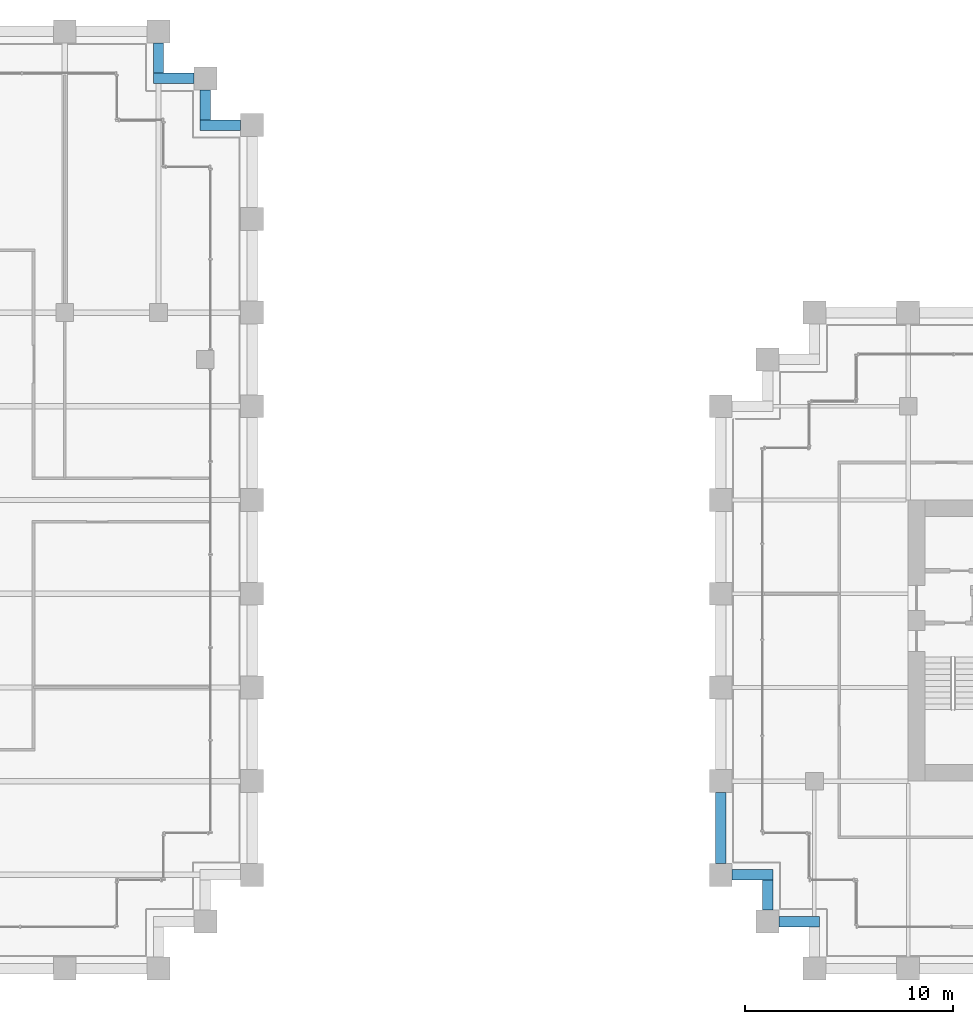
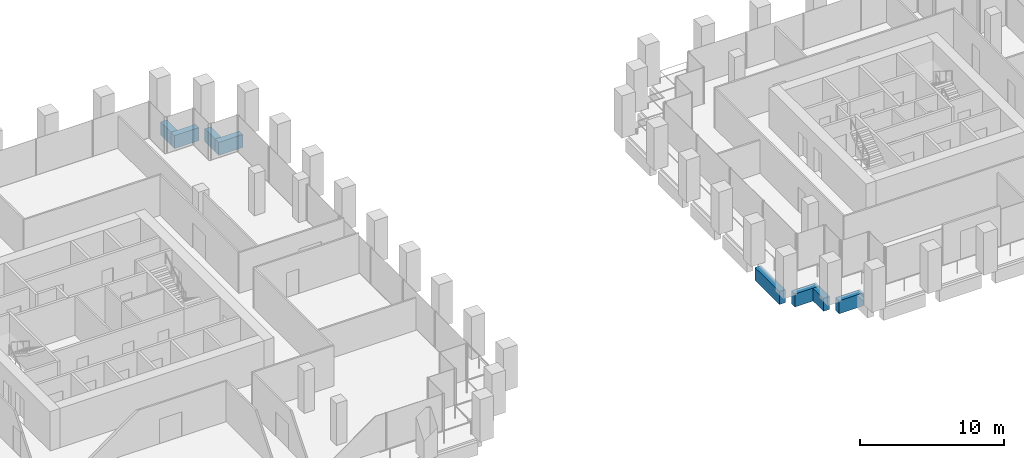
# One storey, part 33 of 54: 8 beams.
"""IFC4 building model written with IfcOpenShell, lengths in metres."""

from ifc_helpers import new_model, si_unit, direction, frame, origin, origin_2d, place, context, subcontext, project, spatial, rectangle, extrude, material, material_profile, profile_set, type_object, element, save


model = new_model("IFC4")

# Units and contexts
model_context = context("Model", 3, precision=1e-05, world=origin(), true_north=direction((0.0, 1.0)))
body_context = subcontext(model_context, "Body", "Model", "MODEL_VIEW")
ifc_project = project(units=[si_unit("LENGTHUNIT", "METRE"), si_unit("AREAUNIT", "SQUARE_METRE"), si_unit("VOLUMEUNIT", "CUBIC_METRE"), si_unit("PLANEANGLEUNIT", "RADIAN"), si_unit("MASSUNIT", "GRAM", prefix="KILO")], contexts=[model_context])

# Site, building, storey
site_placement = place(None, origin())
site = spatial("IfcSite", under=ifc_project, at=site_placement, CompositionType="ELEMENT")
building_placement = place(site_placement, origin())
building = spatial("IfcBuilding", under=site, at=building_placement, Name="Altepetl Exchange Towers", CompositionType="ELEMENT")
storey_placement = place(building_placement, frame((0.0, 0.0, 65.39990234375)))
storey = spatial("IfcBuildingStorey", under=building, at=storey_placement, Name="L15", CompositionType="ELEMENT", Elevation=65.39990234375)

# Beams
ifc_material_1 = material(Name="Concrete C50/60 precast with cantera rosa facing", Category="concrete")
ifc_material_profile_1 = material_profile(ifc_material_1, rectangle(XDim=0.5, YDim=1.10009765625, at=origin_2d()), Name="500 x 1100")
ifc_profile_set_1 = profile_set([ifc_material_profile_1], Name="Concrete C50/60 precast with cantera rosa facing")
beam_type_1 = type_object("IfcBeamType", Name="Spandrel beam 500x1100 cantera rosa", PredefinedType="SPANDREL", material=ifc_profile_set_1)
beam_1_placement = place(storey_placement, frame((71.449951171875, 67.5, -0.699951171875), z_axis=(-1.0, 0.0, 0.0), x_axis=(0.0, -1.0, 0.0)))
element("IfcBeam", 1, at=beam_1_placement, inside=storey, type_object=beam_type_1, Name="sp:A:L15:020", PredefinedType="SPANDREL", context=body_context, shape_type="SweptSolid", body=[
    extrude(rectangle(XDim=0.5, YDim=1.10009765625, at=origin_2d()), origin(), (0.0, 0.0, 1.0), 1.949951171875),
])
beam_2_placement = place(storey_placement, frame((69.75, 67.75, -0.699951171875), z_axis=(0.0, 1.0, 0.0), x_axis=(-1.0, 0.0, 0.0)))
element("IfcBeam", 2, at=beam_2_placement, inside=storey, type_object=beam_type_1, Name="sp:A:L15:021", PredefinedType="SPANDREL", context=body_context, shape_type="SweptSolid", body=[
    extrude(rectangle(XDim=0.5, YDim=1.10009765625, at=origin_2d()), origin(), (0.0, 0.0, 1.0), 1.449951171875),
])
beam_3_placement = place(storey_placement, frame((69.199951171875, 69.75, -0.699951171875), z_axis=(-1.0, 0.0, 0.0), x_axis=(0.0, -1.0, 0.0)))
element("IfcBeam", 3, at=beam_3_placement, inside=storey, type_object=beam_type_1, Name="sp:A:L15:022", PredefinedType="SPANDREL", context=body_context, shape_type="SweptSolid", body=[
    extrude(rectangle(XDim=0.5, YDim=1.10009765625, at=origin_2d()), origin(), (0.0, 0.0, 1.0), 1.949951171875),
])
beam_4_placement = place(storey_placement, frame((67.5, 70.0, -0.699951171875), z_axis=(0.0, 1.0, 0.0), x_axis=(-1.0, 0.0, 0.0)))
element("IfcBeam", 4, at=beam_4_placement, inside=storey, type_object=beam_type_1, Name="sp:A:L15:023", PredefinedType="SPANDREL", context=body_context, shape_type="SweptSolid", body=[
    extrude(rectangle(XDim=0.5, YDim=1.10009765625, at=origin_2d()), origin(), (0.0, 0.0, 1.0), 1.449951171875),
])
ifc_material_2 = material(Name="Concrete C50/60 precast with tezontle facing", Category="concrete")
ifc_material_profile_2 = material_profile(ifc_material_2, rectangle(XDim=0.5, YDim=1.10009765625, at=origin_2d()), Name="500 x 1100")
ifc_profile_set_2 = profile_set([ifc_material_profile_2], Name="Concrete C50/60 precast with tezontle facing")
beam_type_2 = type_object("IfcBeamType", Name="Spandrel beam 500x1100 tezontle", PredefinedType="SPANDREL", material=ifc_profile_set_2)
beam_5_placement = place(storey_placement, frame((94.5, 35.449951171875, -0.699951171875), z_axis=(0.0, -1.0, 0.0), x_axis=(1.0, 0.0, 0.0)))
element("IfcBeam", 5, at=beam_5_placement, inside=storey, type_object=beam_type_2, Name="sp:B:L15:031", PredefinedType="SPANDREL", context=body_context, shape_type="SweptSolid", body=[
    extrude(rectangle(XDim=0.5, YDim=1.10009765625, at=origin_2d()), origin(), (0.0, 0.0, 1.0), 3.39990234375),
])
beam_6_placement = place(storey_placement, frame((95.050048828125, 31.5, -0.699951171875), z_axis=(1.0, 0.0, 0.0), x_axis=(0.0, 1.0, 0.0)))
element("IfcBeam", 6, at=beam_6_placement, inside=storey, type_object=beam_type_2, Name="sp:B:L15:032", PredefinedType="SPANDREL", context=body_context, shape_type="SweptSolid", body=[
    extrude(rectangle(XDim=0.5, YDim=1.10009765625, at=origin_2d()), origin(), (0.0, 0.0, 1.0), 1.949951171875),
])
beam_7_placement = place(storey_placement, frame((96.75, 31.25, -0.699951171875), z_axis=(0.0, -1.0, 0.0), x_axis=(1.0, 0.0, 0.0)))
element("IfcBeam", 7, at=beam_7_placement, inside=storey, type_object=beam_type_2, Name="sp:B:L15:033", PredefinedType="SPANDREL", context=body_context, shape_type="SweptSolid", body=[
    extrude(rectangle(XDim=0.5, YDim=1.10009765625, at=origin_2d()), origin(), (0.0, 0.0, 1.0), 1.449951171875),
])
beam_8_placement = place(storey_placement, frame((97.300048828125, 29.25, -0.699951171875), z_axis=(1.0, 0.0, 0.0), x_axis=(0.0, 1.0, 0.0)))
element("IfcBeam", 8, at=beam_8_placement, inside=storey, type_object=beam_type_2, Name="sp:B:L15:034", PredefinedType="SPANDREL", context=body_context, shape_type="SweptSolid", body=[
    extrude(rectangle(XDim=0.5, YDim=1.10009765625, at=origin_2d()), origin(), (0.0, 0.0, 1.0), 1.949951171875),
])

save(model, "model.ifc")
